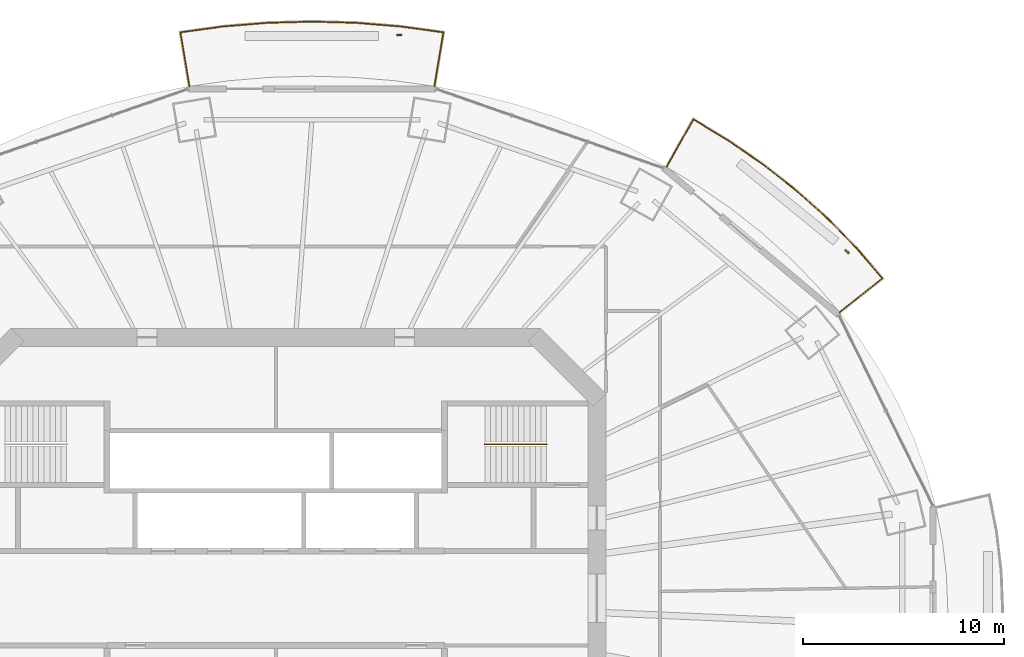
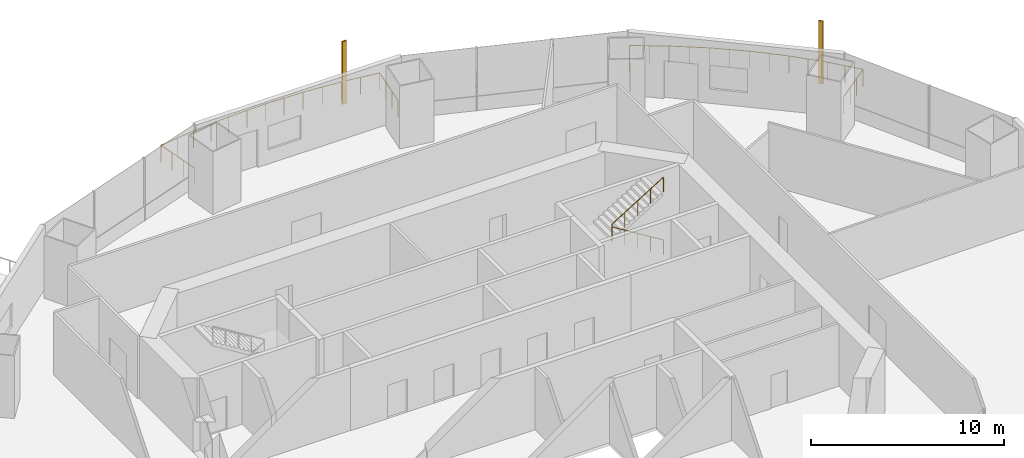
# One storey, part 19 of 21: 3 railings, 2 shading devices.
"""IFC4 building model written with IfcOpenShell, lengths in metres."""

from ifc_helpers import new_model, si_unit, direction, frame, origin, origin_2d, place, context, subcontext, project, spatial, rectangle, circle, extrude, material, material_profile, profile_set, type_object, element, save


model = new_model("IFC4")

# Units and contexts
model_context = context("Model", 3, precision=1e-05, world=origin(), true_north=direction((0.0, 1.0)))
body_context = subcontext(model_context, "Body", "Model", "MODEL_VIEW")
ifc_project = project(units=[si_unit("LENGTHUNIT", "METRE"), si_unit("AREAUNIT", "SQUARE_METRE"), si_unit("VOLUMEUNIT", "CUBIC_METRE"), si_unit("PLANEANGLEUNIT", "RADIAN"), si_unit("MASSUNIT", "GRAM", prefix="KILO")], contexts=[model_context])

# Site, building, storey
site_placement = place(None, origin())
site = spatial("IfcSite", under=ifc_project, at=site_placement, CompositionType="ELEMENT")
building_placement = place(site_placement, origin())
building = spatial("IfcBuilding", under=site, at=building_placement, Name="Marenthal Gate Tower", CompositionType="ELEMENT")
storey_placement = place(building_placement, frame((0.0, 0.0, 198.39990234375)))
storey = spatial("IfcBuildingStorey", under=building, at=storey_placement, Name="L43", CompositionType="ELEMENT", Elevation=198.39990234375)

# Railings
ifc_material_1 = material(Name="Stainless steel", Category="steel")
railing_type_1 = type_object("IfcRailingType", Name="Balcony guard 1100", PredefinedType="GUARDRAIL", material=ifc_material_1)
railing_1_placement = place(storey_placement, frame((19.476806640625, 21.490478515625, 0.0)))
element("IfcRailing", 1, at=railing_1_placement, inside=storey, type_object=railing_type_1, Name="Balcony guard L43 bay 2", PredefinedType="GUARDRAIL", context=body_context, shape_type="SweptSolid", body=[
    extrude(circle(Radius=0.02392578125, at=origin_2d()), frame((0.0, 0.0, 1.076171875), z_axis=(0.489654758179, 0.871793680526, -0.014628615393), x_axis=(-0.871886975849, 0.489707158764, 0.0)), (0.0, 0.0, 1.0), 2.720458984375),
    extrude(circle(Radius=0.02392578125, at=origin_2d()), frame((1.33203125, 2.37158203125, 1.0361328125), z_axis=(0.856189474473, -0.516661962797, 0.0), x_axis=(0.516661962797, 0.856189474473, 0.0)), (0.0, 0.0, 1.0), 2.0537109375),
    extrude(circle(Radius=0.02392578125, at=origin_2d()), frame((3.09033203125, 1.310546875, 1.0361328125), z_axis=(0.823307575665, -0.56759548611, 0.0), x_axis=(0.56759548611, 0.823307575665, 0.0)), (0.0, 0.0, 1.0), 2.11669921875),
    extrude(circle(Radius=0.02392578125, at=origin_2d()), frame((4.8330078125, 0.109130859375, 1.0361328125), z_axis=(0.785971142181, -0.618263183166, 0.0), x_axis=(0.618263183166, 0.785971142181, 0.0)), (0.0, 0.0, 1.0), 2.09912109375),
    extrude(circle(Radius=0.02392578125, at=origin_2d()), frame((6.48291015625, -1.188720703125, 1.0361328125), z_axis=(0.744529235913, -0.667589856776, 0.0), x_axis=(0.667589856776, 0.744529235913, 0.0)), (0.0, 0.0, 1.0), 2.08154296875),
    extrude(circle(Radius=0.02392578125, at=origin_2d()), frame((8.03271484375, -2.578369140625, 1.0361328125), z_axis=(0.698897192243, -0.715222143585, 0.0), x_axis=(0.715222143585, 0.698897192243, 0.0)), (0.0, 0.0, 1.0), 2.063720703125),
    extrude(circle(Radius=0.02392578125, at=origin_2d()), frame((9.47509765625, -4.054443359375, 1.0361328125), z_axis=(0.650106163754, -0.759843389028, 0.0), x_axis=(0.759843389028, 0.650106163754, 0.0)), (0.0, 0.0, 1.0), 1.966796875),
    extrude(circle(Radius=0.02392578125, at=origin_2d()), frame((10.753662109375, -5.548828125, 1.0361328125), z_axis=(-0.782733891957, -0.622184599053, 0.014628023892), x_axis=(0.622251176983, -0.782817649739, 0.0)), (0.0, 0.0, 1.0), 2.720458984375),
    extrude(circle(Radius=0.02099609375, at=origin_2d()), origin(), (0.0, 0.0, 1.0), 1.052001953125),
    extrude(circle(Radius=0.02099609375, at=origin_2d()), frame((0.444091796875, 0.79052734375, -0.01318359375)), (0.0, 0.0, 1.0), 1.052001953125),
    extrude(circle(Radius=0.02099609375, at=origin_2d()), frame((0.887939453125, 1.5810546875, -0.026611328125)), (0.0, 0.0, 1.0), 1.052001953125),
    extrude(circle(Radius=0.02099609375, at=origin_2d()), frame((1.33203125, 2.37158203125, -0.039794921875)), (0.0, 0.0, 1.0), 1.052001953125),
    extrude(circle(Radius=0.02099609375, at=origin_2d()), frame((2.211181640625, 1.841064453125, -0.039794921875)), (0.0, 0.0, 1.0), 1.052001953125),
    extrude(circle(Radius=0.02099609375, at=origin_2d()), frame((3.09033203125, 1.310546875, -0.039794921875)), (0.0, 0.0, 1.0), 1.052001953125),
    extrude(circle(Radius=0.02099609375, at=origin_2d()), frame((3.961669921875, 0.7099609375, -0.039794921875)), (0.0, 0.0, 1.0), 1.052001953125),
    extrude(circle(Radius=0.02099609375, at=origin_2d()), frame((4.8330078125, 0.109130859375, -0.039794921875)), (0.0, 0.0, 1.0), 1.052001953125),
    extrude(circle(Radius=0.02099609375, at=origin_2d()), frame((5.657958984375, -0.539794921875, -0.039794921875)), (0.0, 0.0, 1.0), 1.052001953125),
    extrude(circle(Radius=0.02099609375, at=origin_2d()), frame((6.48291015625, -1.188720703125, -0.039794921875)), (0.0, 0.0, 1.0), 1.052001953125),
    extrude(circle(Radius=0.02099609375, at=origin_2d()), frame((7.2578125, -1.883544921875, -0.039794921875)), (0.0, 0.0, 1.0), 1.052001953125),
    extrude(circle(Radius=0.02099609375, at=origin_2d()), frame((8.03271484375, -2.578369140625, -0.039794921875)), (0.0, 0.0, 1.0), 1.052001953125),
    extrude(circle(Radius=0.02099609375, at=origin_2d()), frame((8.75390625, -3.31640625, -0.039794921875)), (0.0, 0.0, 1.0), 1.052001953125),
    extrude(circle(Radius=0.02099609375, at=origin_2d()), frame((9.47509765625, -4.054443359375, -0.039794921875)), (0.0, 0.0, 1.0), 1.052001953125),
    extrude(circle(Radius=0.02099609375, at=origin_2d()), frame((10.1142578125, -4.8017578125, -0.039794921875)), (0.0, 0.0, 1.0), 1.052001953125),
    extrude(circle(Radius=0.02099609375, at=origin_2d()), frame((10.753662109375, -5.548828125, -0.039794921875)), (0.0, 0.0, 1.0), 1.052001953125),
    extrude(circle(Radius=0.02099609375, at=origin_2d()), frame((10.0439453125, -6.113037109375, -0.026611328125)), (0.0, 0.0, 1.0), 1.052001953125),
    extrude(circle(Radius=0.02099609375, at=origin_2d()), frame((9.333984375, -6.67724609375, -0.01318359375)), (0.0, 0.0, 1.0), 1.052001953125),
    extrude(circle(Radius=0.02099609375, at=origin_2d()), frame((8.624267578125, -7.241455078125, 0.0)), (0.0, 0.0, 1.0), 1.052001953125),
])
railing_2_placement = place(storey_placement, frame((-4.303955078125, 25.516845703125, 0.0)))
element("IfcRailing", 2, at=railing_2_placement, inside=storey, type_object=railing_type_1, Name="Balcony guard L43 bay 4", PredefinedType="GUARDRAIL", context=body_context, shape_type="SweptSolid", body=[
    extrude(circle(Radius=0.02392578125, at=origin_2d()), frame((0.0, 0.0, 1.076171875), z_axis=(-0.16487622686, 0.986205759789, -0.014629735971), x_axis=(-0.986311315136, -0.164893873854, 0.0)), (0.0, 0.0, 1.0), 2.72021484375),
    extrude(circle(Radius=0.02392578125, at=origin_2d()), frame((-0.448486328125, 2.6826171875, 1.0361328125), z_axis=(0.990665342735, 0.136316465269, 0.0), x_axis=(-0.136316465269, 0.990665342735, 0.0)), (0.0, 0.0, 1.0), 2.13671875),
    extrude(circle(Radius=0.02392578125, at=origin_2d()), frame((1.668212890625, 2.973876953125, 1.0361328125), z_axis=(0.996595612973, 0.082445037473, 0.0), x_axis=(-0.082445037473, 0.996595612973, 0.0)), (0.0, 0.0, 1.0), 2.220947265625),
    extrude(circle(Radius=0.02392578125, at=origin_2d()), frame((3.881591796875, 3.156982421875, 1.0361328125), z_axis=(0.999620072433, 0.027562851607, 0.0), x_axis=(-0.027562851607, 0.999620072433, 0.0)), (0.0, 0.0, 1.0), 2.22314453125),
    extrude(circle(Radius=0.02392578125, at=origin_2d()), frame((6.10400390625, 3.21826171875, 1.0361328125), z_axis=(0.999620072433, -0.027562851607, 0.0), x_axis=(0.027562851607, 0.999620072433, 0.0)), (0.0, 0.0, 1.0), 2.22314453125),
    extrude(circle(Radius=0.02392578125, at=origin_2d()), frame((8.326416015625, 3.156982421875, 1.0361328125), z_axis=(0.996595612973, -0.082445037473, 0.0), x_axis=(0.082445037473, 0.996595612973, 0.0)), (0.0, 0.0, 1.0), 2.220947265625),
    extrude(circle(Radius=0.02392578125, at=origin_2d()), frame((10.539794921875, 2.973876953125, 1.0361328125), z_axis=(0.990663219108, -0.136331897612, 0.0), x_axis=(0.136331897612, 0.990663219108, 0.0)), (0.0, 0.0, 1.0), 2.136474609375),
    extrude(circle(Radius=0.02392578125, at=origin_2d()), frame((12.65625, 2.6826171875, 1.0361328125), z_axis=(-0.16487622686, -0.986205759789, 0.014629735971), x_axis=(0.986311315136, -0.164893873854, 0.0)), (0.0, 0.0, 1.0), 2.72021484375),
    extrude(circle(Radius=0.02099609375, at=origin_2d()), origin(), (0.0, 0.0, 1.0), 1.052001953125),
    extrude(circle(Radius=0.02099609375, at=origin_2d()), frame((-0.1494140625, 0.894287109375, -0.01318359375)), (0.0, 0.0, 1.0), 1.052001953125),
    extrude(circle(Radius=0.02099609375, at=origin_2d()), frame((-0.299072265625, 1.788330078125, -0.026611328125)), (0.0, 0.0, 1.0), 1.052001953125),
    extrude(circle(Radius=0.02099609375, at=origin_2d()), frame((-0.448486328125, 2.6826171875, -0.039794921875)), (0.0, 0.0, 1.0), 1.052001953125),
    extrude(circle(Radius=0.02099609375, at=origin_2d()), frame((0.60986328125, 2.828125, -0.039794921875)), (0.0, 0.0, 1.0), 1.052001953125),
    extrude(circle(Radius=0.02099609375, at=origin_2d()), frame((1.668212890625, 2.973876953125, -0.039794921875)), (0.0, 0.0, 1.0), 1.052001953125),
    extrude(circle(Radius=0.02099609375, at=origin_2d()), frame((2.77490234375, 3.0654296875, -0.039794921875)), (0.0, 0.0, 1.0), 1.052001953125),
    extrude(circle(Radius=0.02099609375, at=origin_2d()), frame((3.881591796875, 3.156982421875, -0.039794921875)), (0.0, 0.0, 1.0), 1.052001953125),
    extrude(circle(Radius=0.02099609375, at=origin_2d()), frame((4.99267578125, 3.1875, -0.039794921875)), (0.0, 0.0, 1.0), 1.052001953125),
    extrude(circle(Radius=0.02099609375, at=origin_2d()), frame((6.10400390625, 3.21826171875, -0.039794921875)), (0.0, 0.0, 1.0), 1.052001953125),
    extrude(circle(Radius=0.02099609375, at=origin_2d()), frame((7.21533203125, 3.1875, -0.039794921875)), (0.0, 0.0, 1.0), 1.052001953125),
    extrude(circle(Radius=0.02099609375, at=origin_2d()), frame((8.326416015625, 3.156982421875, -0.039794921875)), (0.0, 0.0, 1.0), 1.052001953125),
    extrude(circle(Radius=0.02099609375, at=origin_2d()), frame((9.43310546875, 3.0654296875, -0.039794921875)), (0.0, 0.0, 1.0), 1.052001953125),
    extrude(circle(Radius=0.02099609375, at=origin_2d()), frame((10.539794921875, 2.973876953125, -0.039794921875)), (0.0, 0.0, 1.0), 1.052001953125),
    extrude(circle(Radius=0.02099609375, at=origin_2d()), frame((11.59814453125, 2.828125, -0.039794921875)), (0.0, 0.0, 1.0), 1.052001953125),
    extrude(circle(Radius=0.02099609375, at=origin_2d()), frame((12.65625, 2.6826171875, -0.039794921875)), (0.0, 0.0, 1.0), 1.052001953125),
    extrude(circle(Radius=0.02099609375, at=origin_2d()), frame((12.5068359375, 1.788330078125, -0.026611328125)), (0.0, 0.0, 1.0), 1.052001953125),
    extrude(circle(Radius=0.02099609375, at=origin_2d()), frame((12.357177734375, 0.894287109375, -0.01318359375)), (0.0, 0.0, 1.0), 1.052001953125),
    extrude(circle(Radius=0.02099609375, at=origin_2d()), frame((12.207763671875, 0.0, 0.0)), (0.0, 0.0, 1.0), 1.052001953125),
])
ifc_material_2 = material(Name="Stainless steel", Category="steel")
railing_type_2 = type_object("IfcRailingType", Name="Stair handrail", PredefinedType="HANDRAIL", material=ifc_material_2)
railing_3_placement = place(storey_placement, frame((13.5, 7.675048828125, 0.173095703125)))
element("IfcRailing", 3, at=railing_3_placement, inside=storey, type_object=railing_type_2, Name="Handrail ST3", PredefinedType="HANDRAIL", context=body_context, shape_type="SweptSolid", body=[
    extrude(circle(Radius=0.0224609375, at=origin_2d()), frame((0.0, 0.0, 0.927490234375), z_axis=(-0.850835241893, 0.0, 0.525432575268), x_axis=(0.0, -1.0, 0.0)), (0.0, 0.0, 1.0), 3.6201171875),
    extrude(circle(Radius=0.0224609375, at=origin_2d()), frame((-3.080078125, 0.0, 2.82958984375), z_axis=(0.0, 0.0, 1.0), x_axis=(1.0, 0.0, 0.0)), (0.0, 0.0, 1.0), 0.1728515625),
    extrude(circle(Radius=0.0224609375, at=origin_2d()), frame((-3.080078125, 0.0, 3.00244140625), z_axis=(0.850835241893, 0.0, 0.525432575268), x_axis=(0.0, 1.0, 0.0)), (0.0, 0.0, 1.0), 3.6201171875),
    extrude(circle(Radius=0.02001953125, at=origin_2d()), origin(), (0.0, 0.0, 1.0), 0.905029296875),
    extrude(circle(Radius=0.02001953125, at=origin_2d()), frame((-0.77001953125, 0.0, 0.4755859375)), (0.0, 0.0, 1.0), 0.905029296875),
    extrude(circle(Radius=0.02001953125, at=origin_2d()), frame((-1.5400390625, 0.0, 0.951171875)), (0.0, 0.0, 1.0), 0.905029296875),
    extrude(circle(Radius=0.02001953125, at=origin_2d()), frame((-2.31005859375, 0.0, 1.426513671875)), (0.0, 0.0, 1.0), 0.905029296875),
    extrude(circle(Radius=0.02001953125, at=origin_2d()), frame((-3.080078125, 0.0, 1.902099609375)), (0.0, 0.0, 1.0), 0.905029296875),
    extrude(circle(Radius=0.02001953125, at=origin_2d()), frame((-3.080078125, 0.0, 2.074951171875)), (0.0, 0.0, 1.0), 0.905029296875),
    extrude(circle(Radius=0.02001953125, at=origin_2d()), frame((-2.31005859375, 0.0, 2.550537109375)), (0.0, 0.0, 1.0), 0.905029296875),
    extrude(circle(Radius=0.02001953125, at=origin_2d()), frame((-1.5400390625, 0.0, 3.02587890625)), (0.0, 0.0, 1.0), 0.905029296875),
    extrude(circle(Radius=0.02001953125, at=origin_2d()), frame((-0.77001953125, 0.0, 3.50146484375)), (0.0, 0.0, 1.0), 0.905029296875),
    extrude(circle(Radius=0.02001953125, at=origin_2d()), frame((0.0, 0.0, 3.97705078125)), (0.0, 0.0, 1.0), 0.905029296875),
])

# Shading devices
ifc_material_3 = material(Name="Terracotta", Category="masonry")
ifc_material_profile = material_profile(ifc_material_3, rectangle(XDim=0.25, YDim=0.080078125, at=origin_2d()), Name="Terracotta baguette 250x80")
ifc_profile_set = profile_set([ifc_material_profile], Name="Terracotta")
shading_device_type = type_object("IfcShadingDeviceType", Name="Terracotta BAGUETTE SCREEN 250x80", PredefinedType="USERDEFINED", material=ifc_profile_set)
for number, where, z_axis, x_axis, name in (
    (4, (28.47021484375, 17.267578125, -0.039794921875), (0.0, 0.0, 1.0), (-0.765704864788, 0.643192086425, 0.0), "Terracotta BAGUETTE L43 bay 2L"),
    (5, (6.14404296875, 28.06005859375, -0.039794921875), (0.0, 0.0, 1.0), (-1.0, 0.0, 0.0), "Terracotta BAGUETTE L43 bay 4L"),
):
    element("IfcShadingDevice", number, at=place(storey_placement, frame(where, z_axis=z_axis, x_axis=x_axis)), inside=storey, type_object=shading_device_type, Name=name, ObjectType="BAGUETTE SCREEN", PredefinedType="USERDEFINED", context=body_context, shape_type="SweptSolid", body=[
        extrude(rectangle(XDim=0.25, YDim=0.080078125, at=origin_2d()), origin(), (0.0, 0.0, 1.0), 3.969970703125),
    ])

save(model, "model.ifc")
